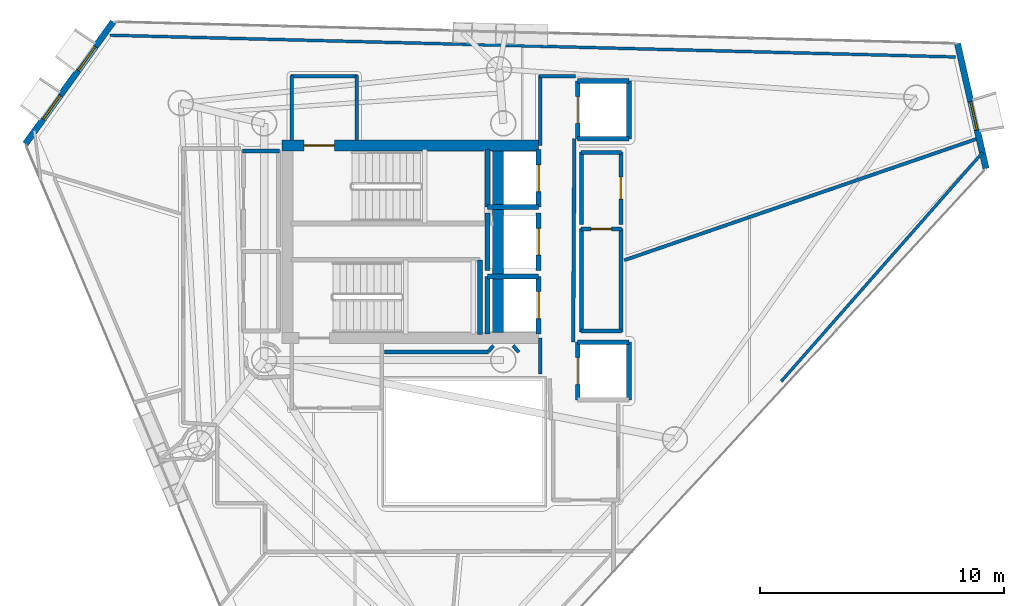
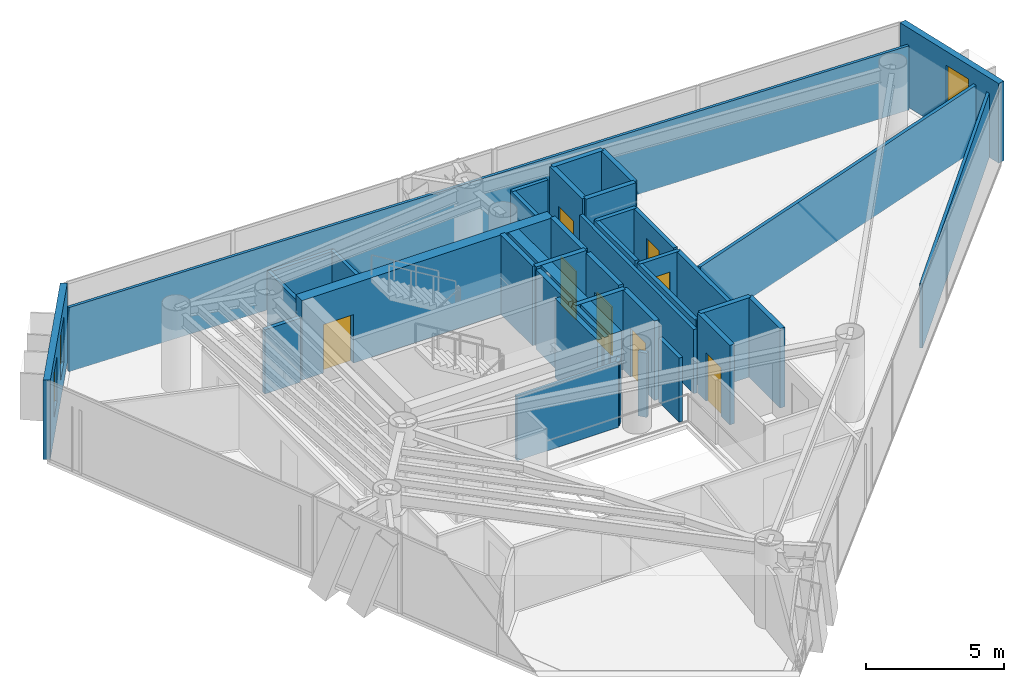
# One storey, part 16 of 21: 41 walls, 8 doors, 3 windows, 11 openings.
"""IFC4 building model written with IfcOpenShell, lengths in metres."""

from ifc_helpers import new_model, si_unit, direction, frame, frame_2d, origin, place, context, subcontext, project, spatial, rectangle, extrude, material, layer, layer_set, type_object, element, fill, save


model = new_model("IFC4")

# Units and contexts
model_context = context("Model", 3, precision=1e-05, world=origin(), true_north=direction((0.0, 1.0)))
body_context = subcontext(model_context, "Body", "Model", "MODEL_VIEW")
ifc_project = project(units=[si_unit("LENGTHUNIT", "METRE"), si_unit("AREAUNIT", "SQUARE_METRE"), si_unit("VOLUMEUNIT", "CUBIC_METRE"), si_unit("PLANEANGLEUNIT", "RADIAN"), si_unit("MASSUNIT", "GRAM", prefix="KILO")], contexts=[model_context])

# Site, building, storey
site_placement = place(None, origin())
site = spatial("IfcSite", under=ifc_project, at=site_placement, CompositionType="ELEMENT")
building_placement = place(site_placement, origin())
building = spatial("IfcBuilding", under=site, at=building_placement, Name="Qianvela Tower", CompositionType="ELEMENT")
storey_placement = place(building_placement, frame((0.0, 0.0, 246.39990234375)))
storey = spatial("IfcBuildingStorey", under=building, at=storey_placement, Name="L63", CompositionType="ELEMENT", Elevation=246.39990234375)

# Wall, opening, window
ifc_material_1 = material(Name="Terracotta Cladding on Concrete C40", Category="masonry")
ifc_layer_1 = layer(ifc_material_1, 0.260009765625)
ifc_layer_set_1 = layer_set([ifc_layer_1], Name="Terracotta Cladding on Concrete C40")
wall_type_1 = type_object("IfcWallType", Name="TERRACOTTA-WALL-260", PredefinedType="SOLIDWALL", material=ifc_layer_set_1)
wall_1_placement = place(storey_placement, frame((58.188720703125, 31.696533203125, 0.0), z_axis=(0.0, 0.0, 1.0), x_axis=(-0.222498189733, 0.974933103123, 0.0)))
wall_1 = element("IfcWall", 1, at=wall_1_placement, inside=storey, type_object=wall_type_1, Name="L63 Terracotta Chamfer Facet Wall 1", PredefinedType="SOLIDWALL", context=body_context, shape_type="SweptSolid", body=[
    extrude(rectangle(XDim=5.257080078125, YDim=0.260009765625, at=frame_2d((2.62841796875, 0.0))), origin(), (0.0, 0.0, 1.0), 3.52001953125),
])
opening_1_placement = place(wall_1_placement, frame((1.6171875, 0.0, 0.89990234375)))
opening_1 = element("IfcOpeningElement", 2, at=opening_1_placement, cuts=wall_1, Name="Opening W-03", PredefinedType="OPENING", context=body_context, shape_type="SweptSolid", body=[
    extrude(rectangle(XDim=1.199951171875, YDim=2.0, at=frame_2d((0.60009765625, 1.0))), frame((0.0, 0.139892578125, 0.0), z_axis=(0.0, -1.0, 0.0), x_axis=(1.0, 0.0, 0.0)), (0.0, 0.0, 1.0), 0.280029296875),
])
ifc_material_2 = material(Name="Thermally Broken Aluminium and Low-E Glass", Category="aluminium")
window_type = type_object("IfcWindowType", Name="WIN-TC-1200x2000", PartitioningType="SINGLE_PANEL", PredefinedType="WINDOW", material=ifc_material_2)
window_1_placement = place(opening_1_placement, origin())
window_1 = element("IfcWindow", 3, at=window_1_placement, inside=storey, type_object=window_type, Name="L63 Chamfer Facet Window 1.1", OverallHeight=2.0, OverallWidth=1.199951171875, PartitioningType="SINGLE_PANEL", PredefinedType="WINDOW", context=body_context, shape_type="SweptSolid", body=[
    extrude(rectangle(XDim=1.199951171875, YDim=2.0, at=frame_2d((0.60009765625, 1.0))), frame((0.0, 0.030029296875, 0.0), z_axis=(0.0, -1.0, 0.0), x_axis=(1.0, 0.0, 0.0)), (0.0, 0.0, 1.0), 0.06005859375),
])
fill(opening_1, window_1)

# Wall, openings, windows
wall_2_placement = place(storey_placement, frame((22.40869140625, 37.7119140625, 0.0), z_axis=(0.0, 0.0, 1.0), x_axis=(-0.584030232461, -0.811731906217, 0.0)))
wall_2 = element("IfcWall", 4, at=wall_2_placement, inside=storey, type_object=wall_type_1, Name="L63 Terracotta Chamfer Facet Wall 3", PredefinedType="SOLIDWALL", context=body_context, shape_type="SweptSolid", body=[
    extrude(rectangle(XDim=6.1630859375, YDim=0.260009765625, at=frame_2d((3.08154296875, 0.0))), origin(), (0.0, 0.0, 1.0), 3.52001953125),
])
opening_2_placement = place(wall_2_placement, frame((1.248779296875, 0.0, 0.89990234375)))
opening_2 = element("IfcOpeningElement", 5, at=opening_2_placement, cuts=wall_2, Name="Opening W-03", PredefinedType="OPENING", context=body_context, shape_type="SweptSolid", body=[
    extrude(rectangle(XDim=1.199951171875, YDim=2.0, at=frame_2d((0.60009765625, 1.0))), frame((0.0, 0.139892578125, 0.0), z_axis=(0.0, -1.0, 0.0), x_axis=(1.0, 0.0, 0.0)), (0.0, 0.0, 1.0), 0.280029296875),
])
opening_3_placement = place(wall_2_placement, frame((3.7138671875, 0.0, 0.89990234375)))
opening_3 = element("IfcOpeningElement", 6, at=opening_3_placement, cuts=wall_2, Name="Opening W-03", PredefinedType="OPENING", context=body_context, shape_type="SweptSolid", body=[
    extrude(rectangle(XDim=1.199951171875, YDim=2.0, at=frame_2d((0.60009765625, 1.0))), frame((0.0, 0.139892578125, 0.0), z_axis=(0.0, -1.0, 0.0), x_axis=(1.0, 0.0, 0.0)), (0.0, 0.0, 1.0), 0.280029296875),
])
window_2_placement = place(opening_2_placement, origin())
window_2 = element("IfcWindow", 7, at=window_2_placement, inside=storey, type_object=window_type, Name="L63 Chamfer Facet Window 3.1", OverallHeight=2.0, OverallWidth=1.199951171875, PartitioningType="SINGLE_PANEL", PredefinedType="WINDOW", context=body_context, shape_type="SweptSolid", body=[
    extrude(rectangle(XDim=1.199951171875, YDim=2.0, at=frame_2d((0.60009765625, 1.0))), frame((0.0, 0.030029296875, 0.0), z_axis=(0.0, -1.0, 0.0), x_axis=(1.0, 0.0, 0.0)), (0.0, 0.0, 1.0), 0.06005859375),
])
fill(opening_2, window_2)
window_3_placement = place(opening_3_placement, origin())
window_3 = element("IfcWindow", 8, at=window_3_placement, inside=storey, type_object=window_type, Name="L63 Chamfer Facet Window 3.2", OverallHeight=2.0, OverallWidth=1.199951171875, PartitioningType="SINGLE_PANEL", PredefinedType="WINDOW", context=body_context, shape_type="SweptSolid", body=[
    extrude(rectangle(XDim=1.199951171875, YDim=2.0, at=frame_2d((0.60009765625, 1.0))), frame((0.0, 0.030029296875, 0.0), z_axis=(0.0, -1.0, 0.0), x_axis=(1.0, 0.0, 0.0)), (0.0, 0.0, 1.0), 0.06005859375),
])
fill(opening_3, window_3)

# Wall, opening, door
ifc_material_3 = material(Name="Concrete C50", Category="concrete")
ifc_layer_2 = layer(ifc_material_3, 0.449951171875)
ifc_layer_set_2 = layer_set([ifc_layer_2], Name="Concrete C50")
wall_type_2 = type_object("IfcWallType", Name="WT-CORE-450", PredefinedType="SHEAR", material=ifc_layer_set_2)
wall_3_placement = place(storey_placement, frame((29.330078125, 32.64501953125, 0.0), z_axis=(0.0, 0.0, 1.0), x_axis=(1.0, 0.0, 0.0)))
wall_3 = element("IfcWall", 9, at=wall_3_placement, inside=storey, type_object=wall_type_2, Name="L63 North Core Shear Wall", PredefinedType="SHEAR", context=body_context, shape_type="SweptSolid", body=[
    extrude(rectangle(XDim=10.52001953125, YDim=0.449951171875, at=frame_2d((5.260009765625, 0.0))), origin(), (0.0, 0.0, 1.0), 3.52001953125),
])
opening_4_placement = place(wall_3_placement, frame((0.89501953125, 0.0, 0.0)))
opening_4 = element("IfcOpeningElement", 10, at=opening_4_placement, cuts=wall_3, Name="Opening D-ST1", PredefinedType="OPENING", context=body_context, shape_type="SweptSolid", body=[
    extrude(rectangle(XDim=1.25, YDim=2.14990234375, at=frame_2d((0.625, 1.074951171875))), frame((0.0, 0.23486328125, 0.0), z_axis=(0.0, -1.0, 0.0), x_axis=(1.0, 0.0, 0.0)), (0.0, 0.0, 1.0), 0.469970703125),
])
ifc_material_4 = material(Name="Galvanised Fire Steel Q355B", Category="steel")
door_type_1 = type_object("IfcDoorType", Name="DT-STAIR-FD90", OperationType="NOTDEFINED", PredefinedType="DOOR", material=ifc_material_4)
door_1_placement = place(opening_4_placement, origin())
door_1 = element("IfcDoor", 11, at=door_1_placement, inside=storey, type_object=door_type_1, Name="L63 Stair ST-1 Exit Door", OperationType="SINGLE_SWING_RIGHT", OverallHeight=2.14990234375, OverallWidth=1.25, PredefinedType="DOOR", context=body_context, shape_type="SweptSolid", body=[
    extrude(rectangle(XDim=1.25, YDim=2.14990234375, at=frame_2d((0.625, 1.074951171875))), frame((0.0, 0.02490234375, 0.0), z_axis=(0.0, -1.0, 0.0), x_axis=(1.0, 0.0, 0.0)), (0.0, 0.0, 1.0), 0.050048828125),
])
fill(opening_4, door_1)

# Walls
wall_4_placement = place(storey_placement, frame((38.179931640625, 24.97998046875, 0.0), z_axis=(0.0, 0.0, 1.0), x_axis=(0.0, 1.0, 0.0)))
element("IfcWall", 12, at=wall_4_placement, inside=storey, type_object=wall_type_2, Name="L63 East Spine Core Shear Wall", PredefinedType="SHEAR", context=body_context, shape_type="SweptSolid", body=[
    extrude(rectangle(XDim=7.43994140625, YDim=0.449951171875, at=frame_2d((3.719970703125, 0.0))), origin(), (0.0, 0.0, 1.0), 3.52001953125),
])
ifc_material_5 = material(Name="Fire-Rated Acoustic Gypsum Board")
ifc_layer_3 = layer(ifc_material_5, 0.14990234375)
ifc_layer_set_3 = layer_set([ifc_layer_3], Name="Fire-Rated Acoustic Gypsum Board")
wall_type_3 = type_object("IfcWallType", Name="WT-CORR-150", PredefinedType="PARTITIONING", material=ifc_layer_set_3)
wall_5_placement = place(storey_placement, frame((29.73095703125, 32.85791015625, 0.0), z_axis=(0.0, 0.0, 1.0), x_axis=(0.0, 1.0, 0.0)))
element("IfcWall", 13, at=wall_5_placement, inside=storey, type_object=wall_type_3, Name="L63 Partition 2", PredefinedType="PARTITIONING", context=body_context, shape_type="SweptSolid", body=[
    extrude(rectangle(XDim=2.662109375, YDim=0.14990234375, at=frame_2d((1.3310546875, 0.0))), origin(), (0.0, 0.0, 1.0), 2.840087890625),
])
wall_6_placement = place(storey_placement, frame((29.699951171875, 35.489013671875, 0.0), z_axis=(0.0, 0.0, 1.0), x_axis=(1.0, 0.0, 0.0)))
element("IfcWall", 14, at=wall_6_placement, inside=storey, type_object=wall_type_3, Name="L63 Partition 3", PredefinedType="PARTITIONING", context=body_context, shape_type="SweptSolid", body=[
    extrude(rectangle(XDim=2.719970703125, YDim=0.14990234375, at=frame_2d((1.35986328125, 0.0))), origin(), (0.0, 0.0, 1.0), 2.840087890625),
])
wall_7_placement = place(storey_placement, frame((32.388916015625, 35.52001953125, 0.0), z_axis=(0.0, 0.0, 1.0), x_axis=(0.0, -1.0, 0.0)))
element("IfcWall", 15, at=wall_7_placement, inside=storey, type_object=wall_type_3, Name="L63 Partition 4", PredefinedType="PARTITIONING", context=body_context, shape_type="SweptSolid", body=[
    extrude(rectangle(XDim=2.662109375, YDim=0.14990234375, at=frame_2d((1.3310546875, 0.0))), origin(), (0.0, 0.0, 1.0), 2.840087890625),
])
wall_8_placement = place(storey_placement, frame((39.910888671875, 23.280029296875, 0.0), z_axis=(0.0, 0.0, 1.0), x_axis=(0.0, 1.0, 0.0)))
element("IfcWall", 16, at=wall_8_placement, inside=storey, type_object=wall_type_3, Name="L63 Partition 10", PredefinedType="PARTITIONING", context=body_context, shape_type="SweptSolid", body=[
    extrude(rectangle(XDim=1.47998046875, YDim=0.14990234375, at=frame_2d((0.739990234375, 0.0))), origin(), (0.0, 0.0, 1.0), 2.840087890625),
])
wall_9_placement = place(storey_placement, frame((39.910888671875, 32.639892578125, 0.0), z_axis=(0.0, 0.0, 1.0), x_axis=(0.0, 1.0, 0.0)))
element("IfcWall", 17, at=wall_9_placement, inside=storey, type_object=wall_type_3, Name="L63 Partition 12", PredefinedType="PARTITIONING", context=body_context, shape_type="SweptSolid", body=[
    extrude(rectangle(XDim=2.880126953125, YDim=0.14990234375, at=frame_2d((1.43994140625, 0.0))), origin(), (0.0, 0.0, 1.0), 2.840087890625),
])
wall_10_placement = place(storey_placement, frame((39.8798828125, 35.489013671875, 0.0), z_axis=(0.0, 0.0, 1.0), x_axis=(1.0, 0.0, 0.0)))
element("IfcWall", 18, at=wall_10_placement, inside=storey, type_object=wall_type_3, Name="L63 Partition 13", PredefinedType="PARTITIONING", context=body_context, shape_type="SweptSolid", body=[
    extrude(rectangle(XDim=1.480224609375, YDim=0.14990234375, at=frame_2d((0.740234375, 0.0))), origin(), (0.0, 0.0, 1.0), 2.840087890625),
])
wall_11_placement = place(storey_placement, frame((41.3134765625, 32.919921875, 0.0), z_axis=(0.0, 0.0, 1.0), x_axis=(-0.005942518022, -0.999982343084, 0.0)))
element("IfcWall", 19, at=wall_11_placement, inside=storey, type_object=wall_type_3, Name="L63 Partition 14 seg 2", PredefinedType="PARTITIONING", context=body_context, shape_type="SweptSolid", body=[
    extrude(rectangle(XDim=8.340087890625, YDim=0.14990234375, at=frame_2d((4.169921875, 0.0))), origin(), (0.0, 0.0, 1.0), 2.840087890625),
])
wall_12_placement = place(storey_placement, frame((39.0361328125, 24.170166015625, 0.0), z_axis=(0.0, 0.0, 1.0), x_axis=(-0.652260263346, 0.757995084984, 0.0)))
element("IfcWall", 20, at=wall_12_placement, inside=storey, type_object=wall_type_3, Name="L63 Partition 49", PredefinedType="PARTITIONING", context=body_context, shape_type="SweptSolid", body=[
    extrude(rectangle(XDim=0.35546875, YDim=0.14990234375, at=frame_2d((0.177734375, 0.0))), origin(), (0.0, 0.0, 1.0), 2.840087890625),
])
wall_13_placement = place(storey_placement, frame((37.995849609375, 24.439697265625, 0.0), z_axis=(0.0, 0.0, 1.0), x_axis=(-0.652425645794, -0.757852740782, 0.0)))
element("IfcWall", 21, at=wall_13_placement, inside=storey, type_object=wall_type_3, Name="L63 Partition 52", PredefinedType="PARTITIONING", context=body_context, shape_type="SweptSolid", body=[
    extrude(rectangle(XDim=0.319580078125, YDim=0.14990234375, at=frame_2d((0.15966796875, 0.0))), origin(), (0.0, 0.0, 1.0), 2.840087890625),
])
wall_14_placement = place(storey_placement, frame((37.787353515625, 24.180908203125, 0.0), z_axis=(0.0, 0.0, 1.0), x_axis=(-1.0, 0.0, 0.0)))
element("IfcWall", 22, at=wall_14_placement, inside=storey, type_object=wall_type_3, Name="L63 Partition 53", PredefinedType="PARTITIONING", context=body_context, shape_type="SweptSolid", body=[
    extrude(rectangle(XDim=4.25732421875, YDim=0.14990234375, at=frame_2d((2.128662109375, 0.0))), origin(), (0.0, 0.0, 1.0), 2.840087890625),
])
ifc_material_6 = material(Name="Insulated Gypsum Stud Partition")
ifc_layer_4 = layer(ifc_material_6, 0.1201171875)
ifc_layer_set_4 = layer_set([ifc_layer_4], Name="Insulated Gypsum Stud Partition")
wall_type_4 = type_object("IfcWallType", Name="WT-PART-120", PredefinedType="PARTITIONING", material=ifc_layer_set_4)
wall_15_placement = place(storey_placement, frame((58.0537109375, 32.3623046875, 0.0), z_axis=(0.0, 0.0, 1.0), x_axis=(-0.66055355448, -0.750778929954, 0.0)))
element("IfcWall", 23, at=wall_15_placement, inside=storey, type_object=wall_type_4, Name="L63 Partition 102 seg 1", PredefinedType="PARTITIONING", context=body_context, shape_type="SweptSolid", body=[
    extrude(rectangle(XDim=12.511962890625, YDim=0.1201171875, at=frame_2d((6.255859375, 0.0))), origin(), (0.0, 0.0, 1.0), 2.840087890625),
])
wall_16_placement = place(storey_placement, frame((22.2822265625, 37.163818359375, 0.0), z_axis=(0.0, 0.0, 1.0), x_axis=(0.99966963281, -0.025702630935, 0.0)))
element("IfcWall", 24, at=wall_16_placement, inside=storey, type_object=wall_type_4, Name="L63 Partition 111", PredefinedType="PARTITIONING", context=body_context, shape_type="SweptSolid", body=[
    extrude(rectangle(XDim=34.66064453125, YDim=0.1201171875, at=frame_2d((17.330322265625, 0.0))), origin(), (0.0, 0.0, 1.0), 2.840087890625),
])
ifc_material_7 = material(Name="Sanitary Service Chase Partition")
ifc_layer_5 = layer(ifc_material_7, 0.1650390625)
ifc_layer_set_5 = layer_set([ifc_layer_5], Name="Sanitary Service Chase Partition")
wall_type_5 = type_object("IfcWallType", Name="WT-PLUMB-165", PredefinedType="PLUMBINGWALL", material=ifc_layer_set_5)
wall_17_placement = place(storey_placement, frame((43.25, 25.031005859375, 0.0), z_axis=(0.0, 0.0, 1.0), x_axis=(-1.0, 0.0, 0.0)))
element("IfcWall", 25, at=wall_17_placement, inside=storey, type_object=wall_type_5, Name="L63 Partition 19", PredefinedType="PLUMBINGWALL", context=body_context, shape_type="SweptSolid", body=[
    extrude(rectangle(XDim=1.669921875, YDim=0.1650390625, at=frame_2d((0.8349609375, 0.0))), origin(), (0.0, 0.0, 1.0), 2.840087890625),
])
wall_18_placement = place(storey_placement, frame((41.611083984375, 25.0, 0.0), z_axis=(0.0, 0.0, 1.0), x_axis=(0.0, 1.0, 0.0)))
element("IfcWall", 26, at=wall_18_placement, inside=storey, type_object=wall_type_5, Name="L63 Partition 20", PredefinedType="PLUMBINGWALL", context=body_context, shape_type="SweptSolid", body=[
    extrude(rectangle(XDim=4.25, YDim=0.1650390625, at=frame_2d((2.125, 0.0))), origin(), (0.0, 0.0, 1.0), 2.840087890625),
])

# Wall, opening, door
wall_19_placement = place(storey_placement, frame((41.580078125, 29.218994140625, 0.0), z_axis=(0.0, 0.0, 1.0), x_axis=(1.0, 0.0, 0.0)))
wall_19 = element("IfcWall", 27, at=wall_19_placement, inside=storey, type_object=wall_type_5, Name="L63 Partition 21", PredefinedType="PLUMBINGWALL", context=body_context, shape_type="SweptSolid", body=[
    extrude(rectangle(XDim=1.669921875, YDim=0.1650390625, at=frame_2d((0.8349609375, 0.0))), origin(), (0.0, 0.0, 1.0), 2.840087890625),
])
opening_5_placement = place(wall_19_placement, frame((0.405029296875, 0.0, 0.0)))
opening_5 = element("IfcOpeningElement", 28, at=opening_5_placement, cuts=wall_19, Name="Opening D-WC1", PredefinedType="OPENING", context=body_context, shape_type="SweptSolid", body=[
    extrude(rectangle(XDim=0.860107421875, YDim=2.050048828125, at=frame_2d((0.43017578125, 1.02490234375))), frame((0.0, 0.092529296875, 0.0), z_axis=(0.0, -1.0, 0.0), x_axis=(1.0, 0.0, 0.0)), (0.0, 0.0, 1.0), 0.18505859375),
])
ifc_material_8 = material(Name="Moisture-Sealed Acoustic Timber Door", Category="wood")
door_type_2 = type_object("IfcDoorType", Name="DT-WC-860", OperationType="NOTDEFINED", PredefinedType="DOOR", material=ifc_material_8)
door_2_placement = place(opening_5_placement, origin())
door_2 = element("IfcDoor", 29, at=door_2_placement, inside=storey, type_object=door_type_2, Name="L63 Door L63 Accessible WC to L63 Shared Tea Pantry East", OperationType="SINGLE_SWING_LEFT", OverallHeight=2.050048828125, OverallWidth=0.860107421875, PredefinedType="DOOR", context=body_context, shape_type="SweptSolid", body=[
    extrude(rectangle(XDim=0.860107421875, YDim=2.050048828125, at=frame_2d((0.43017578125, 1.02490234375))), frame((0.0, 0.02490234375, 0.0), z_axis=(0.0, -1.0, 0.0), x_axis=(1.0, 0.0, 0.0)), (0.0, 0.0, 1.0), 0.050048828125),
])
fill(opening_5, door_2)

# Walls
wall_20_placement = place(storey_placement, frame((43.218994140625, 29.25, 0.0), z_axis=(0.0, 0.0, 1.0), x_axis=(0.0, -1.0, 0.0)))
element("IfcWall", 30, at=wall_20_placement, inside=storey, type_object=wall_type_5, Name="L63 Partition 22", PredefinedType="PLUMBINGWALL", context=body_context, shape_type="SweptSolid", body=[
    extrude(rectangle(XDim=4.25, YDim=0.1650390625, at=frame_2d((2.125, 0.0))), origin(), (0.0, 0.0, 1.0), 2.840087890625),
])
wall_21_placement = place(storey_placement, frame((41.611083984375, 29.409912109375, 0.0), z_axis=(0.0, 0.0, 1.0), x_axis=(0.0, 1.0, 0.0)))
element("IfcWall", 31, at=wall_21_placement, inside=storey, type_object=wall_type_5, Name="L63 Partition 24", PredefinedType="PLUMBINGWALL", context=body_context, shape_type="SweptSolid", body=[
    extrude(rectangle(XDim=2.969970703125, YDim=0.1650390625, at=frame_2d((1.48486328125, 0.0))), origin(), (0.0, 0.0, 1.0), 2.840087890625),
])
wall_22_placement = place(storey_placement, frame((41.580078125, 32.34912109375, 0.0), z_axis=(0.0, 0.0, 1.0), x_axis=(1.0, 0.0, 0.0)))
element("IfcWall", 32, at=wall_22_placement, inside=storey, type_object=wall_type_5, Name="L63 Partition 25", PredefinedType="PLUMBINGWALL", context=body_context, shape_type="SweptSolid", body=[
    extrude(rectangle(XDim=1.669921875, YDim=0.1650390625, at=frame_2d((0.8349609375, 0.0))), origin(), (0.0, 0.0, 1.0), 2.840087890625),
])

# Wall, opening, door
wall_23_placement = place(storey_placement, frame((43.218994140625, 32.3798828125, 0.0), z_axis=(0.0, 0.0, 1.0), x_axis=(0.0, -1.0, 0.0)))
wall_23 = element("IfcWall", 33, at=wall_23_placement, inside=storey, type_object=wall_type_5, Name="L63 Partition 26", PredefinedType="PLUMBINGWALL", context=body_context, shape_type="SweptSolid", body=[
    extrude(rectangle(XDim=2.969970703125, YDim=0.1650390625, at=frame_2d((1.48486328125, 0.0))), origin(), (0.0, 0.0, 1.0), 2.840087890625),
])
opening_6_placement = place(wall_23_placement, frame((1.034912109375, 0.0, 0.0)))
opening_6 = element("IfcOpeningElement", 34, at=opening_6_placement, cuts=wall_23, Name="Opening D-KT1", PredefinedType="OPENING", context=body_context, shape_type="SweptSolid", body=[
    extrude(rectangle(XDim=0.89990234375, YDim=2.10009765625, at=frame_2d((0.449951171875, 1.050048828125))), frame((0.0, 0.092529296875, 0.0), z_axis=(0.0, -1.0, 0.0), x_axis=(1.0, 0.0, 0.0)), (0.0, 0.0, 1.0), 0.18505859375),
])
ifc_material_9 = material(Name="Glazed Timber Kitchen Door", Category="wood")
door_type_3 = type_object("IfcDoorType", Name="DT-KITCH-900", OperationType="NOTDEFINED", PredefinedType="DOOR", material=ifc_material_9)
door_3_placement = place(opening_6_placement, origin())
door_3 = element("IfcDoor", 35, at=door_3_placement, inside=storey, type_object=door_type_3, Name="L63 Door L63 Shared Tea Pantry East to Academic Advising Lounge L63-05", OperationType="SINGLE_SWING_RIGHT", OverallHeight=2.10009765625, OverallWidth=0.89990234375, PredefinedType="DOOR", context=body_context, shape_type="SweptSolid", body=[
    extrude(rectangle(XDim=0.89990234375, YDim=2.10009765625, at=frame_2d((0.449951171875, 1.050048828125))), frame((0.0, 0.02490234375, 0.0), z_axis=(0.0, -1.0, 0.0), x_axis=(1.0, 0.0, 0.0)), (0.0, 0.0, 1.0), 0.050048828125),
])
fill(opening_6, door_3)

# Walls
wall_24_placement = place(storey_placement, frame((27.719970703125, 32.4189453125, 0.0), z_axis=(0.0, 0.0, 1.0), x_axis=(1.0, 0.0, 0.0)))
element("IfcWall", 36, at=wall_24_placement, inside=storey, type_object=wall_type_5, Name="L63 Partition 32", PredefinedType="PLUMBINGWALL", context=body_context, shape_type="SweptSolid", body=[
    extrude(rectangle(XDim=1.5, YDim=0.1650390625, at=frame_2d((0.75, 0.0))), origin(), (0.0, 0.0, 1.0), 2.840087890625),
])
ifc_material_10 = material(Name="Acoustic Double Gypsum Stud Partition")
ifc_layer_6 = layer(ifc_material_10, 0.139892578125)
ifc_layer_set_6 = layer_set([ifc_layer_6], Name="Acoustic Double Gypsum Stud Partition")
wall_type_6 = type_object("IfcWallType", Name="WT-ROOM-140", PredefinedType="PARTITIONING", material=ifc_layer_set_6)
wall_25_placement = place(storey_placement, frame((43.360107421875, 27.940673828125, 0.0), z_axis=(0.0, 0.0, 1.0), x_axis=(0.945522307721, 0.325557315388, 0.0)))
element("IfcWall", 37, at=wall_25_placement, inside=storey, type_object=wall_type_6, Name="L63 Partition 101", PredefinedType="PARTITIONING", context=body_context, shape_type="SweptSolid", body=[
    extrude(rectangle(XDim=15.401123046875, YDim=0.139892578125, at=frame_2d((7.70068359375, 0.0))), origin(), (0.0, 0.0, 1.0), 2.840087890625),
])
ifc_material_11 = material(Name="Concrete C50", Category="concrete")
ifc_layer_7 = layer(ifc_material_11, 0.199951171875)
ifc_layer_set_7 = layer_set([ifc_layer_7], Name="Concrete C50")
wall_type_7 = type_object("IfcWallType", Name="WT-SHAFT-200", PredefinedType="SOLIDWALL", material=ifc_layer_set_7)
wall_26_placement = place(storey_placement, frame((37.449951171875, 24.89990234375, 0.0), z_axis=(0.0, 0.0, 1.0), x_axis=(0.0, 1.0, 0.0)))
element("IfcWall", 38, at=wall_26_placement, inside=storey, type_object=wall_type_7, Name="L63 Stair ST-2 East Wall", PredefinedType="SOLIDWALL", context=body_context, shape_type="SweptSolid", body=[
    extrude(rectangle(XDim=3.06005859375, YDim=0.199951171875, at=frame_2d((1.530029296875, 0.0))), origin(), (0.0, 0.0, 1.0), 3.52001953125),
])

# Wall, opening, door
wall_27_placement = place(storey_placement, frame((39.85009765625, 30.1201171875, 0.0), z_axis=(0.0, 0.0, 1.0), x_axis=(0.0, 1.0, 0.0)))
wall_27 = element("IfcWall", 39, at=wall_27_placement, inside=storey, type_object=wall_type_7, Name="L63 Lift FL-1 E Shaft Wall", PredefinedType="SOLIDWALL", context=body_context, shape_type="SweptSolid", body=[
    extrude(rectangle(XDim=2.35986328125, YDim=0.199951171875, at=frame_2d((1.179931640625, 0.0))), origin(), (0.0, 0.0, 1.0), 3.52001953125),
])
opening_7_placement = place(wall_27_placement, frame((0.6298828125, 0.0, 0.0)))
opening_7 = element("IfcOpeningElement", 40, at=opening_7_placement, cuts=wall_27, Name="Opening LD-01", PredefinedType="OPENING", context=body_context, shape_type="SweptSolid", body=[
    extrude(rectangle(XDim=1.10009765625, YDim=2.14990234375, at=frame_2d((0.550048828125, 1.074951171875))), frame((0.0, 0.10986328125, 0.0), z_axis=(0.0, -1.0, 0.0), x_axis=(1.0, 0.0, 0.0)), (0.0, 0.0, 1.0), 0.219970703125),
])
ifc_material_12 = material(Name="Brushed Stainless Steel Lift Landing Door", Category="steel")
door_type_4 = type_object("IfcDoorType", Name="DT-LIFT-SLIDE-1100", OperationType="SLIDING_TO_LEFT", PredefinedType="DOOR", material=ifc_material_12)
door_4_placement = place(opening_7_placement, origin())
door_4 = element("IfcDoor", 41, at=door_4_placement, inside=storey, type_object=door_type_4, Name="L63 Lift FL-1 Sliding Landing Door", OperationType="SLIDING_TO_LEFT", OverallHeight=2.14990234375, OverallWidth=1.10009765625, PredefinedType="DOOR", context=body_context, shape_type="SweptSolid", body=[
    extrude(rectangle(XDim=1.10009765625, YDim=2.14990234375, at=frame_2d((0.550048828125, 1.074951171875))), frame((0.0, 0.02490234375, 0.0), z_axis=(0.0, -1.0, 0.0), x_axis=(1.0, 0.0, 0.0)), (0.0, 0.0, 1.0), 0.050048828125),
])
fill(opening_7, door_4)

# Walls
wall_28_placement = place(storey_placement, frame((37.75, 30.1201171875, 0.0), z_axis=(0.0, 0.0, 1.0), x_axis=(0.0, 1.0, 0.0)))
element("IfcWall", 42, at=wall_28_placement, inside=storey, type_object=wall_type_7, Name="L63 Lift FL-1 W Shaft Wall", PredefinedType="SOLIDWALL", context=body_context, shape_type="SweptSolid", body=[
    extrude(rectangle(XDim=2.35986328125, YDim=0.199951171875, at=frame_2d((1.179931640625, 0.0))), origin(), (0.0, 0.0, 1.0), 3.52001953125),
])
wall_29_placement = place(storey_placement, frame((37.75, 30.1201171875, 0.0), z_axis=(0.0, 0.0, 1.0), x_axis=(1.0, 0.0, 0.0)))
element("IfcWall", 43, at=wall_29_placement, inside=storey, type_object=wall_type_7, Name="L63 Lift FL-1 S Shaft Wall", PredefinedType="SOLIDWALL", context=body_context, shape_type="SweptSolid", body=[
    extrude(rectangle(XDim=2.10009765625, YDim=0.199951171875, at=frame_2d((1.050048828125, 0.0))), origin(), (0.0, 0.0, 1.0), 3.52001953125),
])

# Wall, opening, door
wall_30_placement = place(storey_placement, frame((39.85009765625, 24.919921875, 0.0), z_axis=(0.0, 0.0, 1.0), x_axis=(0.0, 1.0, 0.0)))
wall_30 = element("IfcWall", 44, at=wall_30_placement, inside=storey, type_object=wall_type_7, Name="L63 Lift FL-2 E Shaft Wall", PredefinedType="SOLIDWALL", context=body_context, shape_type="SweptSolid", body=[
    extrude(rectangle(XDim=2.360107421875, YDim=0.199951171875, at=frame_2d((1.18017578125, 0.0))), origin(), (0.0, 0.0, 1.0), 3.52001953125),
])
opening_8_placement = place(wall_30_placement, frame((0.6298828125, 0.0, 0.0)))
opening_8 = element("IfcOpeningElement", 45, at=opening_8_placement, cuts=wall_30, Name="Opening LD-01", PredefinedType="OPENING", context=body_context, shape_type="SweptSolid", body=[
    extrude(rectangle(XDim=1.10009765625, YDim=2.14990234375, at=frame_2d((0.550048828125, 1.074951171875))), frame((0.0, 0.10986328125, 0.0), z_axis=(0.0, -1.0, 0.0), x_axis=(1.0, 0.0, 0.0)), (0.0, 0.0, 1.0), 0.219970703125),
])
door_5_placement = place(opening_8_placement, origin())
door_5 = element("IfcDoor", 46, at=door_5_placement, inside=storey, type_object=door_type_4, Name="L63 Lift FL-2 Sliding Landing Door", OperationType="SLIDING_TO_LEFT", OverallHeight=2.14990234375, OverallWidth=1.10009765625, PredefinedType="DOOR", context=body_context, shape_type="SweptSolid", body=[
    extrude(rectangle(XDim=1.10009765625, YDim=2.14990234375, at=frame_2d((0.550048828125, 1.074951171875))), frame((0.0, 0.02490234375, 0.0), z_axis=(0.0, -1.0, 0.0), x_axis=(1.0, 0.0, 0.0)), (0.0, 0.0, 1.0), 0.050048828125),
])
fill(opening_8, door_5)

# Walls
wall_31_placement = place(storey_placement, frame((37.75, 24.919921875, 0.0), z_axis=(0.0, 0.0, 1.0), x_axis=(0.0, 1.0, 0.0)))
element("IfcWall", 47, at=wall_31_placement, inside=storey, type_object=wall_type_7, Name="L63 Lift FL-2 W Shaft Wall", PredefinedType="SOLIDWALL", context=body_context, shape_type="SweptSolid", body=[
    extrude(rectangle(XDim=2.360107421875, YDim=0.199951171875, at=frame_2d((1.18017578125, 0.0))), origin(), (0.0, 0.0, 1.0), 3.52001953125),
])
wall_32_placement = place(storey_placement, frame((37.75, 27.280029296875, 0.0), z_axis=(0.0, 0.0, 1.0), x_axis=(1.0, 0.0, 0.0)))
element("IfcWall", 48, at=wall_32_placement, inside=storey, type_object=wall_type_7, Name="L63 Lift FL-2 N Shaft Wall", PredefinedType="SOLIDWALL", context=body_context, shape_type="SweptSolid", body=[
    extrude(rectangle(XDim=2.10009765625, YDim=0.199951171875, at=frame_2d((1.050048828125, 0.0))), origin(), (0.0, 0.0, 1.0), 3.52001953125),
])

# Wall, opening, door
wall_33_placement = place(storey_placement, frame((39.85009765625, 27.52001953125, 0.0), z_axis=(0.0, 0.0, 1.0), x_axis=(0.0, 1.0, 0.0)))
wall_33 = element("IfcWall", 49, at=wall_33_placement, inside=storey, type_object=wall_type_7, Name="L63 Lift PL-H1 E Shaft Wall", PredefinedType="SOLIDWALL", context=body_context, shape_type="SweptSolid", body=[
    extrude(rectangle(XDim=2.35986328125, YDim=0.199951171875, at=frame_2d((1.179931640625, 0.0))), origin(), (0.0, 0.0, 1.0), 3.52001953125),
])
opening_9_placement = place(wall_33_placement, frame((0.6298828125, 0.0, 0.0)))
opening_9 = element("IfcOpeningElement", 50, at=opening_9_placement, cuts=wall_33, Name="Opening LD-01", PredefinedType="OPENING", context=body_context, shape_type="SweptSolid", body=[
    extrude(rectangle(XDim=1.10009765625, YDim=2.14990234375, at=frame_2d((0.550048828125, 1.074951171875))), frame((0.0, 0.10986328125, 0.0), z_axis=(0.0, -1.0, 0.0), x_axis=(1.0, 0.0, 0.0)), (0.0, 0.0, 1.0), 0.219970703125),
])
door_6_placement = place(opening_9_placement, origin())
door_6 = element("IfcDoor", 51, at=door_6_placement, inside=storey, type_object=door_type_4, Name="L63 Lift PL-H1 Sliding Landing Door", OperationType="SLIDING_TO_LEFT", OverallHeight=2.14990234375, OverallWidth=1.10009765625, PredefinedType="DOOR", context=body_context, shape_type="SweptSolid", body=[
    extrude(rectangle(XDim=1.10009765625, YDim=2.14990234375, at=frame_2d((0.550048828125, 1.074951171875))), frame((0.0, 0.02490234375, 0.0), z_axis=(0.0, -1.0, 0.0), x_axis=(1.0, 0.0, 0.0)), (0.0, 0.0, 1.0), 0.050048828125),
])
fill(opening_9, door_6)

# Walls
wall_34_placement = place(storey_placement, frame((37.75, 27.52001953125, 0.0), z_axis=(0.0, 0.0, 1.0), x_axis=(0.0, 1.0, 0.0)))
element("IfcWall", 52, at=wall_34_placement, inside=storey, type_object=wall_type_7, Name="L63 Lift PL-H1 W Shaft Wall", PredefinedType="SOLIDWALL", context=body_context, shape_type="SweptSolid", body=[
    extrude(rectangle(XDim=2.35986328125, YDim=0.199951171875, at=frame_2d((1.179931640625, 0.0))), origin(), (0.0, 0.0, 1.0), 3.52001953125),
])
wall_35_placement = place(storey_placement, frame((43.550048828125, 22.219970703125, 0.0), z_axis=(0.0, 0.0, 1.0), x_axis=(0.0, 1.0, 0.0)))
element("IfcWall", 53, at=wall_35_placement, inside=storey, type_object=wall_type_7, Name="L63 Lift PL-H2 E Shaft Wall", PredefinedType="SOLIDWALL", context=body_context, shape_type="SweptSolid", body=[
    extrude(rectangle(XDim=2.360107421875, YDim=0.199951171875, at=frame_2d((1.18017578125, 0.0))), origin(), (0.0, 0.0, 1.0), 3.52001953125),
])

# Wall, opening, door
wall_36_placement = place(storey_placement, frame((41.449951171875, 22.219970703125, 0.0), z_axis=(0.0, 0.0, 1.0), x_axis=(0.0, 1.0, 0.0)))
wall_36 = element("IfcWall", 54, at=wall_36_placement, inside=storey, type_object=wall_type_7, Name="L63 Lift PL-H2 W Shaft Wall", PredefinedType="SOLIDWALL", context=body_context, shape_type="SweptSolid", body=[
    extrude(rectangle(XDim=2.360107421875, YDim=0.199951171875, at=frame_2d((1.18017578125, 0.0))), origin(), (0.0, 0.0, 1.0), 3.52001953125),
])
opening_10_placement = place(wall_36_placement, frame((0.6298828125, 0.0, 0.0)))
opening_10 = element("IfcOpeningElement", 55, at=opening_10_placement, cuts=wall_36, Name="Opening LD-01", PredefinedType="OPENING", context=body_context, shape_type="SweptSolid", body=[
    extrude(rectangle(XDim=1.10009765625, YDim=2.14990234375, at=frame_2d((0.550048828125, 1.074951171875))), frame((0.0, 0.10986328125, 0.0), z_axis=(0.0, -1.0, 0.0), x_axis=(1.0, 0.0, 0.0)), (0.0, 0.0, 1.0), 0.219970703125),
])
door_7_placement = place(opening_10_placement, origin())
door_7 = element("IfcDoor", 56, at=door_7_placement, inside=storey, type_object=door_type_4, Name="L63 Lift PL-H2 Sliding Landing Door", OperationType="SLIDING_TO_LEFT", OverallHeight=2.14990234375, OverallWidth=1.10009765625, PredefinedType="DOOR", context=body_context, shape_type="SweptSolid", body=[
    extrude(rectangle(XDim=1.10009765625, YDim=2.14990234375, at=frame_2d((0.550048828125, 1.074951171875))), frame((0.0, 0.02490234375, 0.0), z_axis=(0.0, -1.0, 0.0), x_axis=(1.0, 0.0, 0.0)), (0.0, 0.0, 1.0), 0.050048828125),
])
fill(opening_10, door_7)

# Walls
wall_37_placement = place(storey_placement, frame((41.449951171875, 24.580078125, 0.0), z_axis=(0.0, 0.0, 1.0), x_axis=(1.0, 0.0, 0.0)))
element("IfcWall", 57, at=wall_37_placement, inside=storey, type_object=wall_type_7, Name="L63 Lift PL-H2 N Shaft Wall", PredefinedType="SOLIDWALL", context=body_context, shape_type="SweptSolid", body=[
    extrude(rectangle(XDim=2.10009765625, YDim=0.199951171875, at=frame_2d((1.050048828125, 0.0))), origin(), (0.0, 0.0, 1.0), 3.52001953125),
])
wall_38_placement = place(storey_placement, frame((43.550048828125, 32.919921875, 0.0), z_axis=(0.0, 0.0, 1.0), x_axis=(0.0, 1.0, 0.0)))
element("IfcWall", 58, at=wall_38_placement, inside=storey, type_object=wall_type_7, Name="L63 Lift PL-H3 E Shaft Wall", PredefinedType="SOLIDWALL", context=body_context, shape_type="SweptSolid", body=[
    extrude(rectangle(XDim=2.360107421875, YDim=0.199951171875, at=frame_2d((1.18017578125, 0.0))), origin(), (0.0, 0.0, 1.0), 3.52001953125),
])

# Wall, opening, door
wall_39_placement = place(storey_placement, frame((41.449951171875, 32.919921875, 0.0), z_axis=(0.0, 0.0, 1.0), x_axis=(0.0, 1.0, 0.0)))
wall_39 = element("IfcWall", 59, at=wall_39_placement, inside=storey, type_object=wall_type_7, Name="L63 Lift PL-H3 W Shaft Wall", PredefinedType="SOLIDWALL", context=body_context, shape_type="SweptSolid", body=[
    extrude(rectangle(XDim=2.360107421875, YDim=0.199951171875, at=frame_2d((1.18017578125, 0.0))), origin(), (0.0, 0.0, 1.0), 3.52001953125),
])
opening_11_placement = place(wall_39_placement, frame((0.6298828125, 0.0, 0.0)))
opening_11 = element("IfcOpeningElement", 60, at=opening_11_placement, cuts=wall_39, Name="Opening LD-01", PredefinedType="OPENING", context=body_context, shape_type="SweptSolid", body=[
    extrude(rectangle(XDim=1.10009765625, YDim=2.14990234375, at=frame_2d((0.550048828125, 1.074951171875))), frame((0.0, 0.10986328125, 0.0), z_axis=(0.0, -1.0, 0.0), x_axis=(1.0, 0.0, 0.0)), (0.0, 0.0, 1.0), 0.219970703125),
])
door_8_placement = place(opening_11_placement, origin())
door_8 = element("IfcDoor", 61, at=door_8_placement, inside=storey, type_object=door_type_4, Name="L63 Lift PL-H3 Sliding Landing Door", OperationType="SLIDING_TO_LEFT", OverallHeight=2.14990234375, OverallWidth=1.10009765625, PredefinedType="DOOR", context=body_context, shape_type="SweptSolid", body=[
    extrude(rectangle(XDim=1.10009765625, YDim=2.14990234375, at=frame_2d((0.550048828125, 1.074951171875))), frame((0.0, 0.02490234375, 0.0), z_axis=(0.0, -1.0, 0.0), x_axis=(1.0, 0.0, 0.0)), (0.0, 0.0, 1.0), 0.050048828125),
])
fill(opening_11, door_8)

# Walls
for number, where, z_axis, x_axis, name in (
    (62, (41.449951171875, 35.280029296875, 0.0), (0.0, 0.0, 1.0), (1.0, 0.0, 0.0), "L63 Lift PL-H3 N Shaft Wall"),
    (63, (41.449951171875, 32.919921875, 0.0), (0.0, 0.0, 1.0), (1.0, 0.0, 0.0), "L63 Lift PL-H3 S Shaft Wall"),
):
    element("IfcWall", number, at=place(storey_placement, frame(where, z_axis=z_axis, x_axis=x_axis)), inside=storey, type_object=wall_type_7, Name=name, PredefinedType="SOLIDWALL", context=body_context, shape_type="SweptSolid", body=[
        extrude(rectangle(XDim=2.10009765625, YDim=0.199951171875, at=frame_2d((1.050048828125, 0.0))), origin(), (0.0, 0.0, 1.0), 3.52001953125),
    ])

save(model, "model.ifc")
